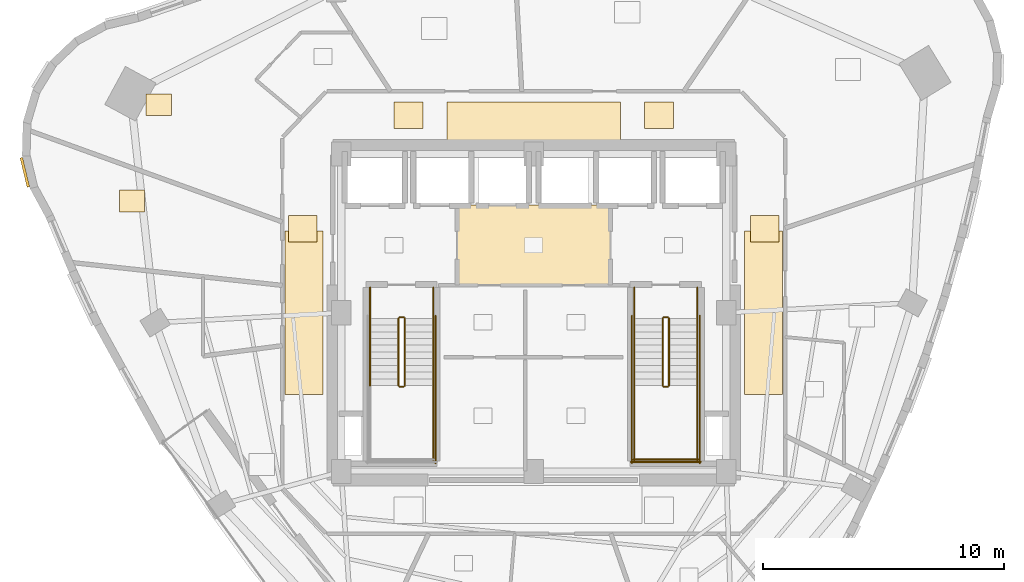
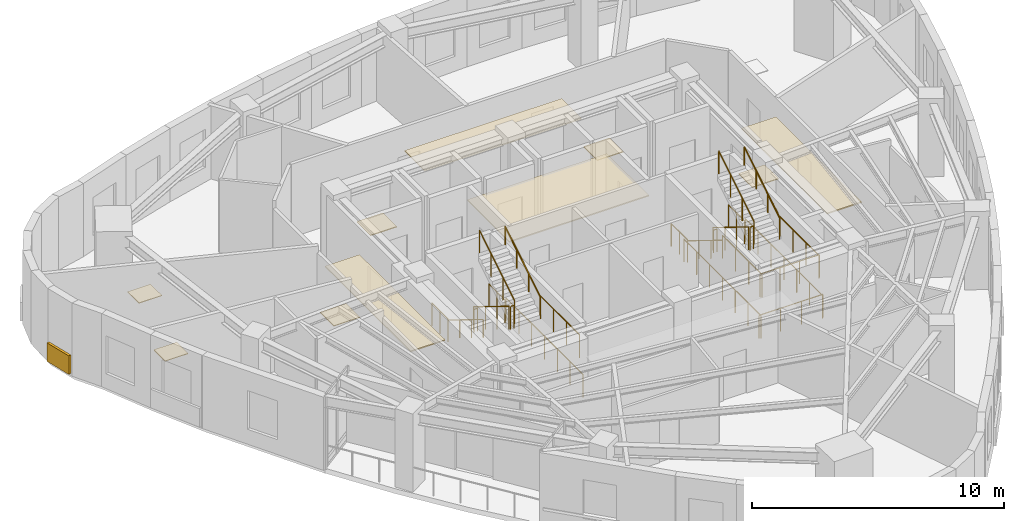
# One storey, part 11 of 12: 24 railings, 11 coverings.
"""IFC4 building model written with IfcOpenShell, lengths in metres."""

from ifc_helpers import new_model, si_unit, direction, frame, origin, origin_2d, place, context, subcontext, project, spatial, rectangle, circle, extrude, material, layer, layer_set, type_object, element, save


model = new_model("IFC4")

# Units and contexts
model_context = context("Model", 3, precision=1e-05, world=origin(), true_north=direction((0.0, 1.0)))
body_context = subcontext(model_context, "Body", "Model", "MODEL_VIEW")
ifc_project = project(units=[si_unit("LENGTHUNIT", "METRE"), si_unit("AREAUNIT", "SQUARE_METRE"), si_unit("VOLUMEUNIT", "CUBIC_METRE"), si_unit("PLANEANGLEUNIT", "RADIAN"), si_unit("MASSUNIT", "GRAM", prefix="KILO")], contexts=[model_context])

# Site, building, storey
site_placement = place(None, origin())
site = spatial("IfcSite", under=ifc_project, at=site_placement, CompositionType="ELEMENT")
building_placement = place(site_placement, origin())
building = spatial("IfcBuilding", under=site, at=building_placement, Name="Ndelora Gate Hotel", CompositionType="ELEMENT")
storey_placement = place(building_placement, frame((0.0, 0.0, 232.14990234375)))
storey = spatial("IfcBuildingStorey", under=building, at=storey_placement, Name="L58", CompositionType="ELEMENT", Elevation=232.14990234375)

# Coverings
ifc_material_1 = material(Name="Perforated Acoustic Gypsum Board", Category="gypsum")
ifc_layer_1 = layer(ifc_material_1, 0.054931640625)
ifc_layer_set_1 = layer_set([ifc_layer_1], Name="Perforated Acoustic Gypsum Board")
covering_type_1 = type_object("IfcCoveringType", Name="COV-CEIL-AC60", PredefinedType="CEILING", material=ifc_layer_set_1)
covering_1_placement = place(storey_placement, frame((0.0, 2.800048828125, 2.72265625), z_axis=(0.0, 0.0, 1.0), x_axis=(1.0, 0.0, 0.0)))
element("IfcCovering", 1, at=covering_1_placement, inside=storey, type_object=covering_type_1, Name="L58 Lift Lobby Acoustic Ceiling", PredefinedType="CEILING", context=body_context, shape_type="SweptSolid", body=[
    extrude(rectangle(XDim=6.39990234375, YDim=3.340087890625, at=origin_2d()), origin(), (0.0, 0.0, 1.0), 0.054931640625),
])
covering_2_placement = place(storey_placement, frame((0.0, 7.9599609375, 2.65283203125), z_axis=(0.0, 0.0, 1.0), x_axis=(1.0, 0.0, 0.0)))
element("IfcCovering", 2, at=covering_2_placement, inside=storey, type_object=covering_type_1, Name="L58 Guest Corridor Acoustic Ceiling N", PredefinedType="CEILING", context=body_context, shape_type="SweptSolid", body=[
    extrude(rectangle(XDim=7.199951171875, YDim=1.580078125, at=origin_2d()), origin(), (0.0, 0.0, 1.0), 0.054931640625),
])
for number, where, z_axis, x_axis, name in (
    (3, (-9.550048828125, 0.0, 2.65283203125), (0.0, 0.0, 1.0), (1.0, 0.0, 0.0), "L58 Guest Corridor Acoustic Ceiling W"),
    (4, (9.550048828125, 0.0, 2.65283203125), (0.0, 0.0, 1.0), (1.0, 0.0, 0.0), "L58 Guest Corridor Acoustic Ceiling E"),
):
    element("IfcCovering", number, at=place(storey_placement, frame(where, z_axis=z_axis, x_axis=x_axis)), inside=storey, type_object=covering_type_1, Name=name, PredefinedType="CEILING", context=body_context, shape_type="SweptSolid", body=[
        extrude(rectangle(XDim=1.580078125, YDim=6.800048828125, at=origin_2d()), origin(), (0.0, 0.0, 1.0), 0.054931640625),
    ])
ifc_material_2 = material(Name="Terracotta Fired Clay Brick Slip Cladding", Category="masonry")
ifc_layer_2 = layer(ifc_material_2, 0.110107421875)
ifc_layer_set_2 = layer_set([ifc_layer_2], Name="Terracotta Fired Clay Brick Slip Cladding")
covering_type_2 = type_object("IfcCoveringType", Name="COV-CLAD-BRK", PredefinedType="CLADDING", material=ifc_layer_set_2)
covering_3_placement = place(storey_placement, frame((-21.147216796875, 5.834228515625, 0.10009765625), z_axis=(0.0, 0.0, 1.0), x_axis=(-0.233445363856, 0.972369920398, 0.0)))
element("IfcCovering", 5, at=covering_3_placement, inside=storey, type_object=covering_type_2, Name="L58 Rounded-Corner Brick Cladding Band 7", PredefinedType="CLADDING", context=body_context, shape_type="SweptSolid", body=[
    extrude(rectangle(XDim=1.258056640625, YDim=0.110107421875, at=origin_2d()), origin(), (0.0, 0.0, 1.0), 0.89990234375),
])
ifc_material_3 = material(Name="Engineered Highland Oak Parquet", Category="wood")
ifc_layer_3 = layer(ifc_material_3, 0.030029296875)
ifc_layer_set_3 = layer_set([ifc_layer_3], Name="Engineered Highland Oak Parquet")
covering_type_3 = type_object("IfcCoveringType", Name="COV-FLR-PARQ", PredefinedType="FLOORING", material=ifc_layer_set_3)
for number, where, z_axis, x_axis, name in (
    (6, (-15.585205078125, 8.64306640625, 0.0), (0.0, 0.0, 1.0), (1.0, 0.0, 0.0), "L58 Altitude King Junior Suite 6104 Oak Parquet Flooring"),
    (7, (-16.696533203125, 4.6455078125, 0.0), (0.0, 0.0, 1.0), (1.0, 0.0, 0.0), "L58 Housekeeping and Linen Room Oak Parquet Flooring"),
):
    element("IfcCovering", number, at=place(storey_placement, frame(where, z_axis=z_axis, x_axis=x_axis)), inside=storey, type_object=covering_type_3, Name=name, PredefinedType="FLOORING", context=body_context, shape_type="SweptSolid", body=[
        extrude(rectangle(XDim=1.050048828125, YDim=0.89990234375, at=origin_2d()), origin(), (0.0, 0.0, 1.0), 0.030029296875),
    ])
ifc_material_4 = material(Name="Polished Highland Stone Terrazzo", Category="masonry")
ifc_layer_4 = layer(ifc_material_4, 0.034912109375)
ifc_layer_set_4 = layer_set([ifc_layer_4], Name="Polished Highland Stone Terrazzo")
covering_type_4 = type_object("IfcCoveringType", Name="COV-FLR-TERZ", PredefinedType="FLOORING", material=ifc_layer_set_4)
for number, where, z_axis, x_axis, name in (
    (8, (-5.199951171875, 8.199951171875, 0.0), (0.0, 0.0, 1.0), (1.0, 0.0, 0.0), "L58 Corridor Threshold Terrazzo Inlay NW"),
    (9, (5.199951171875, 8.199951171875, 0.0), (0.0, 0.0, 1.0), (1.0, 0.0, 0.0), "L58 Corridor Threshold Terrazzo Inlay NE"),
    (10, (-9.60009765625, 3.5, 0.0), (0.0, 0.0, 1.0), (1.0, 0.0, 0.0), "L58 Corridor Threshold Terrazzo Inlay W"),
    (11, (9.60009765625, 3.5, 0.0), (0.0, 0.0, 1.0), (1.0, 0.0, 0.0), "L58 Corridor Threshold Terrazzo Inlay E"),
):
    element("IfcCovering", number, at=place(storey_placement, frame(where, z_axis=z_axis, x_axis=x_axis)), inside=storey, type_object=covering_type_4, Name=name, PredefinedType="FLOORING", context=body_context, shape_type="SweptSolid", body=[
        extrude(rectangle(XDim=1.199951171875, YDim=1.10009765625, at=origin_2d()), origin(), (0.0, 0.0, 1.0), 0.034912109375),
    ])

# Railings
ifc_material_5 = material(Name="Painted Galvanized Steel Balustrade", Category="steel")
ifc_layer_5 = layer(ifc_material_5, 0.06005859375)
ifc_layer_set_5 = layer_set([ifc_layer_5], Name="Painted Galvanized Steel Balustrade")
railing_type_1 = type_object("IfcRailingType", Name="RL-STAIR-GD", PredefinedType="GUARDRAIL", material=ifc_layer_set_5)
railing_1_placement = place(storey_placement, frame((-5.6201171875, -0.22998046875, 0.1728515625)))
element("IfcRailing", 12, at=railing_1_placement, inside=storey, type_object=railing_type_1, Name="L58 ST4 stair guard 1", PredefinedType="GUARDRAIL", context=body_context, shape_type="SweptSolid", body=[
    extrude(circle(Radius=0.02392578125, at=origin_2d()), frame((0.0, 0.0, 1.10595703125), z_axis=(0.0, -0.851089632645, 0.525020415988), x_axis=(1.0, 0.0, 0.0)), (0.0, 0.0, 1.0), 3.2900390625),
    extrude(circle(Radius=0.02099609375, at=origin_2d()), origin(), (0.0, 0.0, 1.0), 1.081787109375),
    extrude(circle(Radius=0.02099609375, at=origin_2d()), frame((0.0, -0.933349609375, 0.57568359375)), (0.0, 0.0, 1.0), 1.081787109375),
    extrude(circle(Radius=0.02099609375, at=origin_2d()), frame((0.0, -1.86669921875, 1.151611328125)), (0.0, 0.0, 1.0), 1.081787109375),
    extrude(circle(Radius=0.02099609375, at=origin_2d()), frame((0.0, -2.800048828125, 1.727294921875)), (0.0, 0.0, 1.0), 1.081787109375),
])
railing_2_placement = place(storey_placement, frame((-5.570068359375, -3.080078125, 1.900146484375)))
element("IfcRailing", 13, at=railing_2_placement, inside=storey, type_object=railing_type_1, Name="L58 ST4 stair guard 2", PredefinedType="GUARDRAIL", context=body_context, shape_type="SweptSolid", body=[
    extrude(circle(Radius=0.02392578125, at=origin_2d()), frame((0.0, 0.0, 1.10595703125), z_axis=(1.0, 0.0, 0.0), x_axis=(0.0, 1.0, 0.0)), (0.0, 0.0, 1.0), 0.16015625),
    extrude(circle(Radius=0.02099609375, at=origin_2d()), origin(), (0.0, 0.0, 1.0), 1.081787109375),
    extrude(circle(Radius=0.02099609375, at=origin_2d()), frame((0.16015625, 0.0, 0.0)), (0.0, 0.0, 1.0), 1.081787109375),
])
railing_3_placement = place(storey_placement, frame((-4.179931640625, -3.030029296875, 1.900146484375)))
element("IfcRailing", 14, at=railing_3_placement, inside=storey, type_object=railing_type_1, Name="L58 ST4 stair guard 4", PredefinedType="GUARDRAIL", context=body_context, shape_type="SweptSolid", body=[
    extrude(circle(Radius=0.02392578125, at=origin_2d()), frame((0.0, 0.0, 1.10595703125), z_axis=(0.0, -1.0, 0.0), x_axis=(1.0, 0.0, 0.0)), (0.0, 0.0, 1.0), 3.119873046875),
    extrude(circle(Radius=0.02099609375, at=origin_2d()), origin(), (0.0, 0.0, 1.0), 1.081787109375),
    extrude(circle(Radius=0.02099609375, at=origin_2d()), frame((0.0, -1.0400390625, 0.0)), (0.0, 0.0, 1.0), 1.081787109375),
    extrude(circle(Radius=0.02099609375, at=origin_2d()), frame((0.0, -2.079833984375, 0.0)), (0.0, 0.0, 1.0), 1.081787109375),
    extrude(circle(Radius=0.02099609375, at=origin_2d()), frame((0.0, -3.119873046875, 0.0)), (0.0, 0.0, 1.0), 1.081787109375),
])
railing_4_placement = place(storey_placement, frame((-5.360107421875, -3.030029296875, 2.07275390625)))
element("IfcRailing", 15, at=railing_4_placement, inside=storey, type_object=railing_type_1, Name="L58 ST4 stair guard 6", PredefinedType="GUARDRAIL", context=body_context, shape_type="SweptSolid", body=[
    extrude(circle(Radius=0.02392578125, at=origin_2d()), frame((0.0, 0.0, 1.10595703125), z_axis=(0.0, 0.851089632645, 0.525020415988), x_axis=(-1.0, 0.0, 0.0)), (0.0, 0.0, 1.0), 3.2900390625),
    extrude(circle(Radius=0.02099609375, at=origin_2d()), origin(), (0.0, 0.0, 1.0), 1.081787109375),
    extrude(circle(Radius=0.02099609375, at=origin_2d()), frame((0.0, 0.933349609375, 0.57568359375)), (0.0, 0.0, 1.0), 1.081787109375),
    extrude(circle(Radius=0.02099609375, at=origin_2d()), frame((0.0, 1.86669921875, 1.151611328125)), (0.0, 0.0, 1.0), 1.081787109375),
    extrude(circle(Radius=0.02099609375, at=origin_2d()), frame((0.0, 2.800048828125, 1.727294921875)), (0.0, 0.0, 1.0), 1.081787109375),
])
railing_5_placement = place(storey_placement, frame((-5.570068359375, -0.179931640625, 0.0)))
element("IfcRailing", 16, at=railing_5_placement, inside=storey, type_object=railing_type_1, Name="L58 ST4 stair guard 7", PredefinedType="GUARDRAIL", context=body_context, shape_type="SweptSolid", body=[
    extrude(circle(Radius=0.02392578125, at=origin_2d()), frame((0.0, 0.0, 1.10595703125), z_axis=(1.0, 0.0, 0.0), x_axis=(0.0, 1.0, 0.0)), (0.0, 0.0, 1.0), 0.16015625),
    extrude(circle(Radius=0.02099609375, at=origin_2d()), origin(), (0.0, 0.0, 1.0), 1.081787109375),
    extrude(circle(Radius=0.02099609375, at=origin_2d()), frame((0.16015625, 0.0, 0.0)), (0.0, 0.0, 1.0), 1.081787109375),
])
for number, where, name in (
    (17, (-6.800048828125, 1.050048828125, 0.0), "L58 ST4 stair guard 8"),
    (18, (-4.179931640625, 1.050048828125, 0.0), "L58 ST4 stair guard 9"),
):
    element("IfcRailing", number, at=place(storey_placement, frame(where)), inside=storey, type_object=railing_type_1, Name=name, PredefinedType="GUARDRAIL", context=body_context, shape_type="SweptSolid", body=[
        extrude(circle(Radius=0.02392578125, at=origin_2d()), frame((0.0, 0.0, 1.10595703125), z_axis=(0.0, -1.0, 0.0), x_axis=(1.0, 0.0, 0.0)), (0.0, 0.0, 1.0), 1.280029296875),
        extrude(circle(Radius=0.02099609375, at=origin_2d()), origin(), (0.0, 0.0, 1.0), 1.081787109375),
        extrude(circle(Radius=0.02099609375, at=origin_2d()), frame((0.0, -0.64013671875, 0.0)), (0.0, 0.0, 1.0), 1.081787109375),
        extrude(circle(Radius=0.02099609375, at=origin_2d()), frame((0.0, -1.280029296875, 0.0)), (0.0, 0.0, 1.0), 1.081787109375),
    ])
railing_6_placement = place(storey_placement, frame((-4.080078125, -0.1298828125, 0.0)))
element("IfcRailing", 19, at=railing_6_placement, inside=storey, type_object=railing_type_1, Name="L58 ST4 stair guard 11", PredefinedType="GUARDRAIL", context=body_context, shape_type="SweptSolid", body=[
    extrude(circle(Radius=0.02392578125, at=origin_2d()), frame((0.0, 0.0, 1.10595703125), z_axis=(0.0, -1.0, 0.0), x_axis=(1.0, 0.0, 0.0)), (0.0, 0.0, 1.0), 6.1201171875),
    extrude(circle(Radius=0.02099609375, at=origin_2d()), origin(), (0.0, 0.0, 1.0), 1.081787109375),
    extrude(circle(Radius=0.02099609375, at=origin_2d()), frame((0.0, -1.02001953125, 0.0)), (0.0, 0.0, 1.0), 1.081787109375),
    extrude(circle(Radius=0.02099609375, at=origin_2d()), frame((0.0, -2.0400390625, 0.0)), (0.0, 0.0, 1.0), 1.081787109375),
    extrude(circle(Radius=0.02099609375, at=origin_2d()), frame((0.0, -3.06005859375, 0.0)), (0.0, 0.0, 1.0), 1.081787109375),
    extrude(circle(Radius=0.02099609375, at=origin_2d()), frame((0.0, -4.080078125, 0.0)), (0.0, 0.0, 1.0), 1.081787109375),
    extrude(circle(Radius=0.02099609375, at=origin_2d()), frame((0.0, -5.10009765625, 0.0)), (0.0, 0.0, 1.0), 1.081787109375),
    extrude(circle(Radius=0.02099609375, at=origin_2d()), frame((0.0, -6.1201171875, 0.0)), (0.0, 0.0, 1.0), 1.081787109375),
])
railing_7_placement = place(storey_placement, frame((5.360107421875, -0.22998046875, 0.1728515625)))
element("IfcRailing", 20, at=railing_7_placement, inside=storey, type_object=railing_type_1, Name="L58 ST5 stair guard 1", PredefinedType="GUARDRAIL", context=body_context, shape_type="SweptSolid", body=[
    extrude(circle(Radius=0.02392578125, at=origin_2d()), frame((0.0, 0.0, 1.10595703125), z_axis=(0.0, -0.851089632645, 0.525020415988), x_axis=(1.0, 0.0, 0.0)), (0.0, 0.0, 1.0), 3.2900390625),
    extrude(circle(Radius=0.02099609375, at=origin_2d()), origin(), (0.0, 0.0, 1.0), 1.081787109375),
    extrude(circle(Radius=0.02099609375, at=origin_2d()), frame((0.0, -0.933349609375, 0.57568359375)), (0.0, 0.0, 1.0), 1.081787109375),
    extrude(circle(Radius=0.02099609375, at=origin_2d()), frame((0.0, -1.86669921875, 1.151611328125)), (0.0, 0.0, 1.0), 1.081787109375),
    extrude(circle(Radius=0.02099609375, at=origin_2d()), frame((0.0, -2.800048828125, 1.727294921875)), (0.0, 0.0, 1.0), 1.081787109375),
])
railing_8_placement = place(storey_placement, frame((5.409912109375, -3.080078125, 1.900146484375)))
element("IfcRailing", 21, at=railing_8_placement, inside=storey, type_object=railing_type_1, Name="L58 ST5 stair guard 2", PredefinedType="GUARDRAIL", context=body_context, shape_type="SweptSolid", body=[
    extrude(circle(Radius=0.02392578125, at=origin_2d()), frame((0.0, 0.0, 1.10595703125), z_axis=(1.0, 0.0, 0.0), x_axis=(0.0, 1.0, 0.0)), (0.0, 0.0, 1.0), 0.16015625),
    extrude(circle(Radius=0.02099609375, at=origin_2d()), origin(), (0.0, 0.0, 1.0), 1.081787109375),
    extrude(circle(Radius=0.02099609375, at=origin_2d()), frame((0.16015625, 0.0, 0.0)), (0.0, 0.0, 1.0), 1.081787109375),
])
for number, where, name in (
    (22, (4.179931640625, -3.030029296875, 1.900146484375), "L58 ST5 stair guard 3"),
    (23, (6.800048828125, -3.030029296875, 1.900146484375), "L58 ST5 stair guard 4"),
):
    element("IfcRailing", number, at=place(storey_placement, frame(where)), inside=storey, type_object=railing_type_1, Name=name, PredefinedType="GUARDRAIL", context=body_context, shape_type="SweptSolid", body=[
        extrude(circle(Radius=0.02392578125, at=origin_2d()), frame((0.0, 0.0, 1.10595703125), z_axis=(0.0, -1.0, 0.0), x_axis=(1.0, 0.0, 0.0)), (0.0, 0.0, 1.0), 3.119873046875),
        extrude(circle(Radius=0.02099609375, at=origin_2d()), origin(), (0.0, 0.0, 1.0), 1.081787109375),
        extrude(circle(Radius=0.02099609375, at=origin_2d()), frame((0.0, -1.0400390625, 0.0)), (0.0, 0.0, 1.0), 1.081787109375),
        extrude(circle(Radius=0.02099609375, at=origin_2d()), frame((0.0, -2.079833984375, 0.0)), (0.0, 0.0, 1.0), 1.081787109375),
        extrude(circle(Radius=0.02099609375, at=origin_2d()), frame((0.0, -3.119873046875, 0.0)), (0.0, 0.0, 1.0), 1.081787109375),
    ])
railing_9_placement = place(storey_placement, frame((4.1298828125, -6.10009765625, 1.900146484375)))
element("IfcRailing", 24, at=railing_9_placement, inside=storey, type_object=railing_type_1, Name="L58 ST5 stair guard 5", PredefinedType="GUARDRAIL", context=body_context, shape_type="SweptSolid", body=[
    extrude(circle(Radius=0.02392578125, at=origin_2d()), frame((0.0, 0.0, 1.10595703125), z_axis=(1.0, 0.0, 0.0), x_axis=(0.0, 1.0, 0.0)), (0.0, 0.0, 1.0), 2.72021484375),
    extrude(circle(Radius=0.02099609375, at=origin_2d()), origin(), (0.0, 0.0, 1.0), 1.081787109375),
    extrude(circle(Radius=0.02099609375, at=origin_2d()), frame((0.90673828125, 0.0, 0.0)), (0.0, 0.0, 1.0), 1.081787109375),
    extrude(circle(Radius=0.02099609375, at=origin_2d()), frame((1.8134765625, 0.0, 0.0)), (0.0, 0.0, 1.0), 1.081787109375),
    extrude(circle(Radius=0.02099609375, at=origin_2d()), frame((2.72021484375, 0.0, 0.0)), (0.0, 0.0, 1.0), 1.081787109375),
])
railing_10_placement = place(storey_placement, frame((5.6201171875, -3.030029296875, 2.07275390625)))
element("IfcRailing", 25, at=railing_10_placement, inside=storey, type_object=railing_type_1, Name="L58 ST5 stair guard 6", PredefinedType="GUARDRAIL", context=body_context, shape_type="SweptSolid", body=[
    extrude(circle(Radius=0.02392578125, at=origin_2d()), frame((0.0, 0.0, 1.10595703125), z_axis=(0.0, 0.851089632645, 0.525020415988), x_axis=(-1.0, 0.0, 0.0)), (0.0, 0.0, 1.0), 3.2900390625),
    extrude(circle(Radius=0.02099609375, at=origin_2d()), origin(), (0.0, 0.0, 1.0), 1.081787109375),
    extrude(circle(Radius=0.02099609375, at=origin_2d()), frame((0.0, 0.933349609375, 0.57568359375)), (0.0, 0.0, 1.0), 1.081787109375),
    extrude(circle(Radius=0.02099609375, at=origin_2d()), frame((0.0, 1.86669921875, 1.151611328125)), (0.0, 0.0, 1.0), 1.081787109375),
    extrude(circle(Radius=0.02099609375, at=origin_2d()), frame((0.0, 2.800048828125, 1.727294921875)), (0.0, 0.0, 1.0), 1.081787109375),
])
railing_11_placement = place(storey_placement, frame((5.409912109375, -0.179931640625, 0.0)))
element("IfcRailing", 26, at=railing_11_placement, inside=storey, type_object=railing_type_1, Name="L58 ST5 stair guard 7", PredefinedType="GUARDRAIL", context=body_context, shape_type="SweptSolid", body=[
    extrude(circle(Radius=0.02392578125, at=origin_2d()), frame((0.0, 0.0, 1.10595703125), z_axis=(1.0, 0.0, 0.0), x_axis=(0.0, 1.0, 0.0)), (0.0, 0.0, 1.0), 0.16015625),
    extrude(circle(Radius=0.02099609375, at=origin_2d()), origin(), (0.0, 0.0, 1.0), 1.081787109375),
    extrude(circle(Radius=0.02099609375, at=origin_2d()), frame((0.16015625, 0.0, 0.0)), (0.0, 0.0, 1.0), 1.081787109375),
])
for number, where, name in (
    (27, (4.179931640625, 1.050048828125, 0.0), "L58 ST5 stair guard 8"),
    (28, (6.800048828125, 1.050048828125, 0.0), "L58 ST5 stair guard 9"),
):
    element("IfcRailing", number, at=place(storey_placement, frame(where)), inside=storey, type_object=railing_type_1, Name=name, PredefinedType="GUARDRAIL", context=body_context, shape_type="SweptSolid", body=[
        extrude(circle(Radius=0.02392578125, at=origin_2d()), frame((0.0, 0.0, 1.10595703125), z_axis=(0.0, -1.0, 0.0), x_axis=(1.0, 0.0, 0.0)), (0.0, 0.0, 1.0), 1.280029296875),
        extrude(circle(Radius=0.02099609375, at=origin_2d()), origin(), (0.0, 0.0, 1.0), 1.081787109375),
        extrude(circle(Radius=0.02099609375, at=origin_2d()), frame((0.0, -0.64013671875, 0.0)), (0.0, 0.0, 1.0), 1.081787109375),
        extrude(circle(Radius=0.02099609375, at=origin_2d()), frame((0.0, -1.280029296875, 0.0)), (0.0, 0.0, 1.0), 1.081787109375),
    ])
for number, where, name in (
    (29, (4.080078125, -0.1298828125, 0.0), "L58 ST5 stair guard 10"),
    (30, (6.89990234375, -0.1298828125, 0.0), "L58 ST5 stair guard 11"),
):
    element("IfcRailing", number, at=place(storey_placement, frame(where)), inside=storey, type_object=railing_type_1, Name=name, PredefinedType="GUARDRAIL", context=body_context, shape_type="SweptSolid", body=[
        extrude(circle(Radius=0.02392578125, at=origin_2d()), frame((0.0, 0.0, 1.10595703125), z_axis=(0.0, -1.0, 0.0), x_axis=(1.0, 0.0, 0.0)), (0.0, 0.0, 1.0), 6.1201171875),
        extrude(circle(Radius=0.02099609375, at=origin_2d()), origin(), (0.0, 0.0, 1.0), 1.081787109375),
        extrude(circle(Radius=0.02099609375, at=origin_2d()), frame((0.0, -1.02001953125, 0.0)), (0.0, 0.0, 1.0), 1.081787109375),
        extrude(circle(Radius=0.02099609375, at=origin_2d()), frame((0.0, -2.0400390625, 0.0)), (0.0, 0.0, 1.0), 1.081787109375),
        extrude(circle(Radius=0.02099609375, at=origin_2d()), frame((0.0, -3.06005859375, 0.0)), (0.0, 0.0, 1.0), 1.081787109375),
        extrude(circle(Radius=0.02099609375, at=origin_2d()), frame((0.0, -4.080078125, 0.0)), (0.0, 0.0, 1.0), 1.081787109375),
        extrude(circle(Radius=0.02099609375, at=origin_2d()), frame((0.0, -5.10009765625, 0.0)), (0.0, 0.0, 1.0), 1.081787109375),
        extrude(circle(Radius=0.02099609375, at=origin_2d()), frame((0.0, -6.1201171875, 0.0)), (0.0, 0.0, 1.0), 1.081787109375),
    ])
railing_12_placement = place(storey_placement, frame((4.030029296875, -6.199951171875, 0.0)))
element("IfcRailing", 31, at=railing_12_placement, inside=storey, type_object=railing_type_1, Name="L58 ST5 stair guard 12", PredefinedType="GUARDRAIL", context=body_context, shape_type="SweptSolid", body=[
    extrude(circle(Radius=0.02392578125, at=origin_2d()), frame((0.0, 0.0, 1.10595703125), z_axis=(1.0, 0.0, 0.0), x_axis=(0.0, 1.0, 0.0)), (0.0, 0.0, 1.0), 2.919921875),
    extrude(circle(Radius=0.02099609375, at=origin_2d()), origin(), (0.0, 0.0, 1.0), 1.081787109375),
    extrude(circle(Radius=0.02099609375, at=origin_2d()), frame((0.973388671875, 0.0, 0.0)), (0.0, 0.0, 1.0), 1.081787109375),
    extrude(circle(Radius=0.02099609375, at=origin_2d()), frame((1.946533203125, 0.0, 0.0)), (0.0, 0.0, 1.0), 1.081787109375),
    extrude(circle(Radius=0.02099609375, at=origin_2d()), frame((2.919921875, 0.0, 0.0)), (0.0, 0.0, 1.0), 1.081787109375),
])
ifc_material_6 = material(Name="Brushed Stainless Steel 316", Category="steel")
ifc_layer_6 = layer(ifc_material_6, 0.050048828125)
ifc_layer_set_6 = layer_set([ifc_layer_6], Name="Brushed Stainless Steel 316")
railing_type_2 = type_object("IfcRailingType", Name="RL-STAIR-HR", PredefinedType="HANDRAIL", material=ifc_layer_set_6)
railing_13_placement = place(storey_placement, frame((-6.800048828125, -0.22998046875, 0.1728515625)))
element("IfcRailing", 32, at=railing_13_placement, inside=storey, type_object=railing_type_2, Name="L58 ST4 stair handrail 1", PredefinedType="HANDRAIL", context=body_context, shape_type="SweptSolid", body=[
    extrude(circle(Radius=0.02392578125, at=origin_2d()), frame((0.0, 0.0, 0.8759765625), z_axis=(0.0, -0.851089632645, 0.525020415988), x_axis=(1.0, 0.0, 0.0)), (0.0, 0.0, 1.0), 3.2900390625),
    extrude(circle(Radius=0.02099609375, at=origin_2d()), origin(), (0.0, 0.0, 1.0), 0.851806640625),
    extrude(circle(Radius=0.02099609375, at=origin_2d()), frame((0.0, -0.933349609375, 0.57568359375)), (0.0, 0.0, 1.0), 0.851806640625),
    extrude(circle(Radius=0.02099609375, at=origin_2d()), frame((0.0, -1.86669921875, 1.151611328125)), (0.0, 0.0, 1.0), 0.851806640625),
    extrude(circle(Radius=0.02099609375, at=origin_2d()), frame((0.0, -2.800048828125, 1.727294921875)), (0.0, 0.0, 1.0), 0.851806640625),
])
railing_14_placement = place(storey_placement, frame((-4.179931640625, -3.030029296875, 2.07275390625)))
element("IfcRailing", 33, at=railing_14_placement, inside=storey, type_object=railing_type_2, Name="L58 ST4 stair handrail 2", PredefinedType="HANDRAIL", context=body_context, shape_type="SweptSolid", body=[
    extrude(circle(Radius=0.02392578125, at=origin_2d()), frame((0.0, 0.0, 0.8759765625), z_axis=(0.0, 0.851089632645, 0.525020415988), x_axis=(-1.0, 0.0, 0.0)), (0.0, 0.0, 1.0), 3.2900390625),
    extrude(circle(Radius=0.02099609375, at=origin_2d()), origin(), (0.0, 0.0, 1.0), 0.851806640625),
    extrude(circle(Radius=0.02099609375, at=origin_2d()), frame((0.0, 0.933349609375, 0.57568359375)), (0.0, 0.0, 1.0), 0.851806640625),
    extrude(circle(Radius=0.02099609375, at=origin_2d()), frame((0.0, 1.86669921875, 1.151611328125)), (0.0, 0.0, 1.0), 0.851806640625),
    extrude(circle(Radius=0.02099609375, at=origin_2d()), frame((0.0, 2.800048828125, 1.727294921875)), (0.0, 0.0, 1.0), 0.851806640625),
])
railing_15_placement = place(storey_placement, frame((4.179931640625, -0.22998046875, 0.1728515625)))
element("IfcRailing", 34, at=railing_15_placement, inside=storey, type_object=railing_type_2, Name="L58 ST5 stair handrail 1", PredefinedType="HANDRAIL", context=body_context, shape_type="SweptSolid", body=[
    extrude(circle(Radius=0.02392578125, at=origin_2d()), frame((0.0, 0.0, 0.8759765625), z_axis=(0.0, -0.851089632645, 0.525020415988), x_axis=(1.0, 0.0, 0.0)), (0.0, 0.0, 1.0), 3.2900390625),
    extrude(circle(Radius=0.02099609375, at=origin_2d()), origin(), (0.0, 0.0, 1.0), 0.851806640625),
    extrude(circle(Radius=0.02099609375, at=origin_2d()), frame((0.0, -0.933349609375, 0.57568359375)), (0.0, 0.0, 1.0), 0.851806640625),
    extrude(circle(Radius=0.02099609375, at=origin_2d()), frame((0.0, -1.86669921875, 1.151611328125)), (0.0, 0.0, 1.0), 0.851806640625),
    extrude(circle(Radius=0.02099609375, at=origin_2d()), frame((0.0, -2.800048828125, 1.727294921875)), (0.0, 0.0, 1.0), 0.851806640625),
])
railing_16_placement = place(storey_placement, frame((6.800048828125, -3.030029296875, 2.07275390625)))
element("IfcRailing", 35, at=railing_16_placement, inside=storey, type_object=railing_type_2, Name="L58 ST5 stair handrail 2", PredefinedType="HANDRAIL", context=body_context, shape_type="SweptSolid", body=[
    extrude(circle(Radius=0.02392578125, at=origin_2d()), frame((0.0, 0.0, 0.8759765625), z_axis=(0.0, 0.851089632645, 0.525020415988), x_axis=(-1.0, 0.0, 0.0)), (0.0, 0.0, 1.0), 3.2900390625),
    extrude(circle(Radius=0.02099609375, at=origin_2d()), origin(), (0.0, 0.0, 1.0), 0.851806640625),
    extrude(circle(Radius=0.02099609375, at=origin_2d()), frame((0.0, 0.933349609375, 0.57568359375)), (0.0, 0.0, 1.0), 0.851806640625),
    extrude(circle(Radius=0.02099609375, at=origin_2d()), frame((0.0, 1.86669921875, 1.151611328125)), (0.0, 0.0, 1.0), 0.851806640625),
    extrude(circle(Radius=0.02099609375, at=origin_2d()), frame((0.0, 2.800048828125, 1.727294921875)), (0.0, 0.0, 1.0), 0.851806640625),
])

save(model, "model.ifc")
